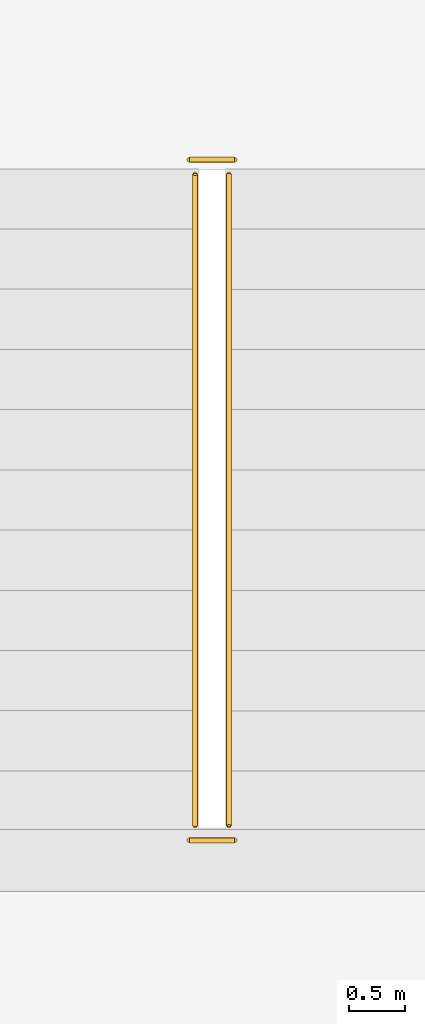
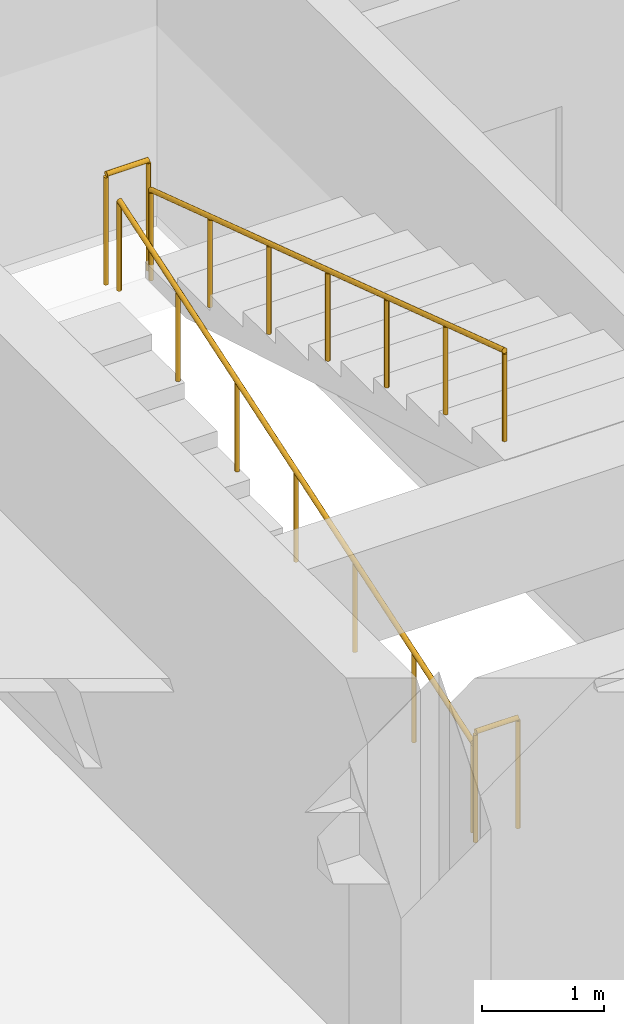
# One storey, part 12 of 16: 4 railings.
"""IFC4 building model written with IfcOpenShell, lengths in metres."""

from ifc_helpers import new_model, si_unit, direction, frame, origin, origin_2d, place, context, subcontext, project, spatial, circle, extrude, material, layer, layer_set, type_object, element, save


model = new_model("IFC4")

# Units and contexts
model_context = context("Model", 3, precision=1e-05, world=origin(), true_north=direction((0.0, 1.0)))
body_context = subcontext(model_context, "Body", "Model", "MODEL_VIEW")
ifc_project = project(units=[si_unit("LENGTHUNIT", "METRE"), si_unit("AREAUNIT", "SQUARE_METRE"), si_unit("VOLUMEUNIT", "CUBIC_METRE"), si_unit("PLANEANGLEUNIT", "RADIAN"), si_unit("MASSUNIT", "GRAM", prefix="KILO")], contexts=[model_context])

# Site, building, storey
site_placement = place(None, origin())
site = spatial("IfcSite", under=ifc_project, at=site_placement, CompositionType="ELEMENT")
building_placement = place(site_placement, origin())
building = spatial("IfcBuilding", under=site, at=building_placement, Name="Girod Span Mobility Hub", CompositionType="ELEMENT")
storey_placement = place(building_placement, frame((0.0, 0.0, 21.0)))
storey = spatial("IfcBuildingStorey", under=building, at=storey_placement, Name="L05", CompositionType="ELEMENT", Elevation=21.0)

# Railings
ifc_material_1 = material(Name="Painted Galvanised Steel", Category="steel")
ifc_layer_1 = layer(ifc_material_1, 0.06494140625)
ifc_layer_set_1 = layer_set([ifc_layer_1], Name="Painted Galvanised Steel")
railing_type_1 = type_object("IfcRailingType", Name="RL-GRD-1120", PredefinedType="GUARDRAIL", material=ifc_layer_set_1)
for number, where, name in (
    (1, (50.10009765625, 65.77001953125, 1.89990234375), "Stair ST-1 Half-Landing Well Guard L05"),
    (2, (50.10009765625, 59.72998046875, 0.0), "Stair ST-1 Landing Well Guard L05"),
):
    element("IfcRailing", number, at=place(storey_placement, frame(where)), inside=storey, type_object=railing_type_1, Name=name, PredefinedType="GUARDRAIL", context=body_context, shape_type="SweptSolid", body=[
        extrude(circle(Radius=0.02392578125, at=origin_2d()), frame((0.0, 0.0, 1.09619140625), z_axis=(1.0, 0.0, 0.0), x_axis=(0.0, 1.0, 0.0)), (0.0, 0.0, 1.0), 0.39990234375),
        extrude(circle(Radius=0.02099609375, at=origin_2d()), origin(), (0.0, 0.0, 1.0), 1.072021484375),
        extrude(circle(Radius=0.02099609375, at=origin_2d()), frame((0.39990234375, 0.0, 0.0)), (0.0, 0.0, 1.0), 1.072021484375),
    ])
ifc_material_2 = material(Name="Painted Galvanised Steel", Category="steel")
ifc_layer_2 = layer(ifc_material_2, 0.050048828125)
ifc_layer_set_2 = layer_set([ifc_layer_2], Name="Painted Galvanised Steel")
railing_type_2 = type_object("IfcRailingType", Name="RL-HR-920", PredefinedType="HANDRAIL", material=ifc_layer_set_2)
railing_1_placement = place(storey_placement, frame((50.14990234375, 59.860107421875, 0.0)))
element("IfcRailing", 3, at=railing_1_placement, inside=storey, type_object=railing_type_2, Name="Stair ST-1 Flight 1 Handrail L05", PredefinedType="HANDRAIL", context=body_context, shape_type="SweptSolid", body=[
    extrude(circle(Radius=0.02392578125, at=origin_2d()), frame((0.0, 0.0, 0.89599609375), z_axis=(0.0, 0.949991280403, 0.312276427477), x_axis=(-1.0, 0.0, 0.0)), (0.0, 0.0, 1.0), 6.083984375),
    extrude(circle(Radius=0.02099609375, at=origin_2d()), origin(), (0.0, 0.0, 1.0), 0.871826171875),
    extrude(circle(Radius=0.02099609375, at=origin_2d()), frame((0.0, 0.96337890625, 0.316650390625)), (0.0, 0.0, 1.0), 0.871826171875),
    extrude(circle(Radius=0.02099609375, at=origin_2d()), frame((0.0, 1.926513671875, 0.63330078125)), (0.0, 0.0, 1.0), 0.871826171875),
    extrude(circle(Radius=0.02099609375, at=origin_2d()), frame((0.0, 2.889892578125, 0.949951171875)), (0.0, 0.0, 1.0), 0.871826171875),
    extrude(circle(Radius=0.02099609375, at=origin_2d()), frame((0.0, 3.853271484375, 1.2666015625)), (0.0, 0.0, 1.0), 0.871826171875),
    extrude(circle(Radius=0.02099609375, at=origin_2d()), frame((0.0, 4.81640625, 1.583251953125)), (0.0, 0.0, 1.0), 0.871826171875),
    extrude(circle(Radius=0.02099609375, at=origin_2d()), frame((0.0, 5.77978515625, 1.89990234375)), (0.0, 0.0, 1.0), 0.871826171875),
])
railing_2_placement = place(storey_placement, frame((50.449951171875, 65.639892578125, 1.89990234375)))
element("IfcRailing", 4, at=railing_2_placement, inside=storey, type_object=railing_type_2, Name="Stair ST-1 Flight 2 Handrail L05", PredefinedType="HANDRAIL", context=body_context, shape_type="SweptSolid", body=[
    extrude(circle(Radius=0.02392578125, at=origin_2d()), frame((0.0, 0.0, 0.89599609375), z_axis=(0.0, -0.949979375482, 0.31231264169), x_axis=(1.0, 0.0, 0.0)), (0.0, 0.0, 1.0), 6.084228515625),
    extrude(circle(Radius=0.02099609375, at=origin_2d()), origin(), (0.0, 0.0, 1.0), 0.871826171875),
    extrude(circle(Radius=0.02099609375, at=origin_2d()), frame((0.0, -0.96337890625, 0.316650390625)), (0.0, 0.0, 1.0), 0.871826171875),
    extrude(circle(Radius=0.02099609375, at=origin_2d()), frame((0.0, -1.926513671875, 0.63330078125)), (0.0, 0.0, 1.0), 0.871826171875),
    extrude(circle(Radius=0.02099609375, at=origin_2d()), frame((0.0, -2.889892578125, 0.9501953125)), (0.0, 0.0, 1.0), 0.871826171875),
    extrude(circle(Radius=0.02099609375, at=origin_2d()), frame((0.0, -3.853271484375, 1.266845703125)), (0.0, 0.0, 1.0), 0.871826171875),
    extrude(circle(Radius=0.02099609375, at=origin_2d()), frame((0.0, -4.81640625, 1.58349609375)), (0.0, 0.0, 1.0), 0.871826171875),
    extrude(circle(Radius=0.02099609375, at=origin_2d()), frame((0.0, -5.77978515625, 1.900146484375)), (0.0, 0.0, 1.0), 0.871826171875),
])

save(model, "model.ifc")
